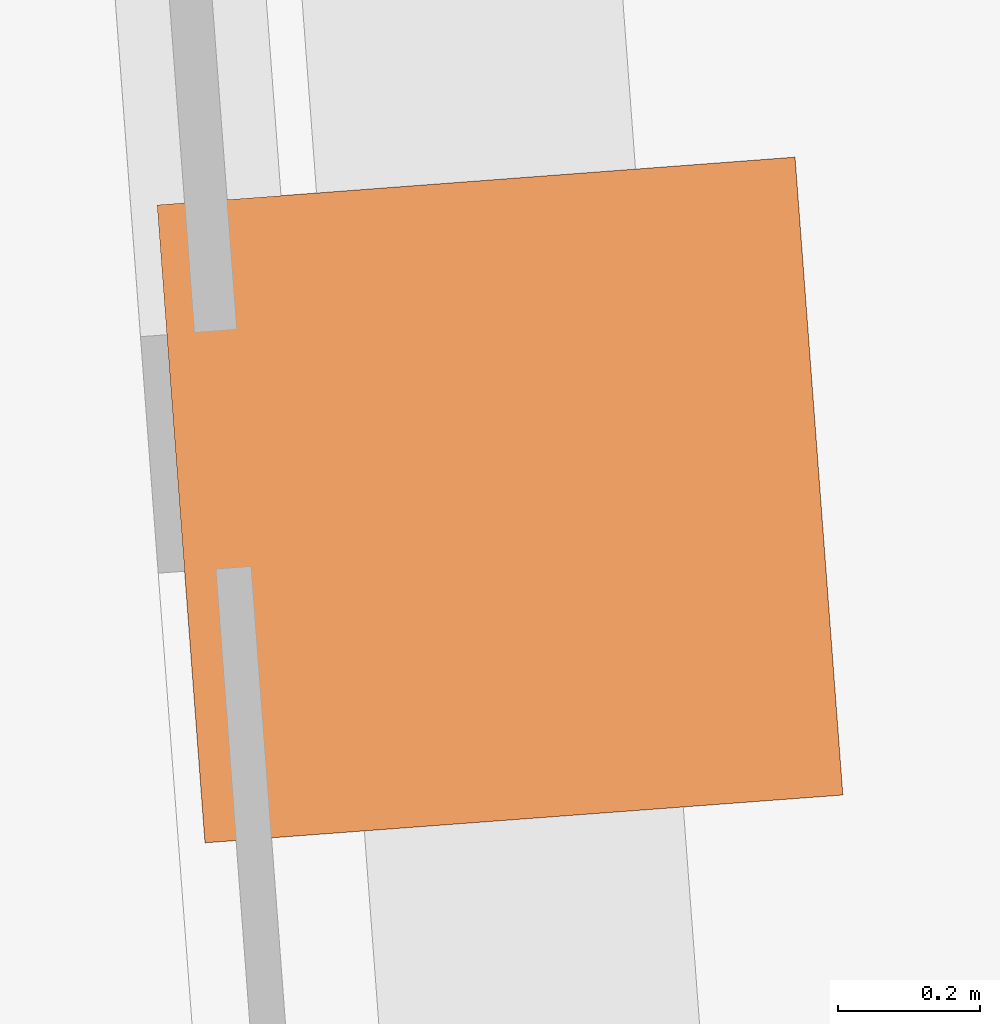
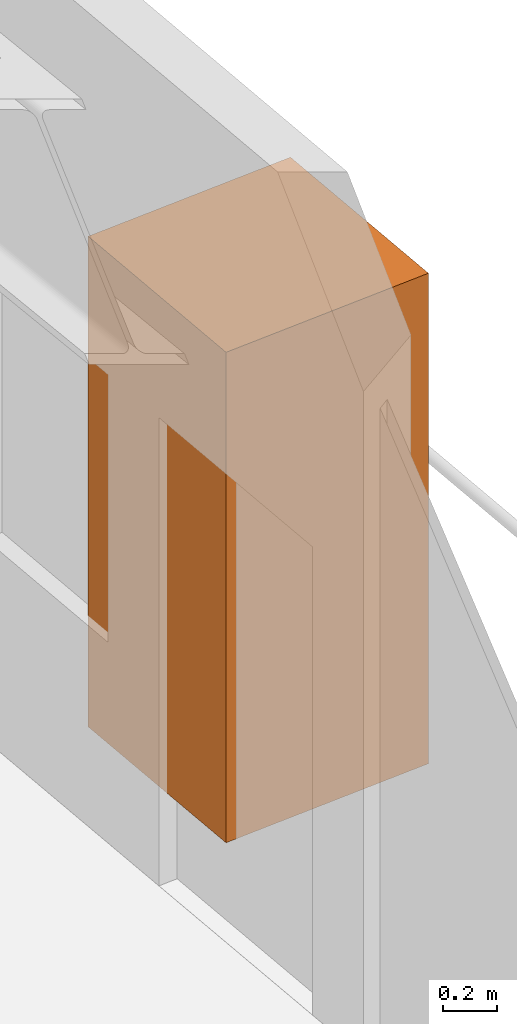
# One storey, part 9 of 9: 1 geographic element.
"""IFC4 building model written with IfcOpenShell, lengths in metres."""

from ifc_helpers import new_model, si_unit, direction, frame, origin, origin_2d, place, context, subcontext, project, spatial, rectangle, extrude, material, type_object, element, save


model = new_model("IFC4")

# Units and contexts
model_context = context("Model", 3, precision=1e-05, world=origin(), true_north=direction((0.0, 1.0)))
body_context = subcontext(model_context, "Body", "Model", "MODEL_VIEW")
ifc_project = project(units=[si_unit("LENGTHUNIT", "METRE"), si_unit("AREAUNIT", "SQUARE_METRE"), si_unit("VOLUMEUNIT", "CUBIC_METRE"), si_unit("PLANEANGLEUNIT", "RADIAN"), si_unit("MASSUNIT", "GRAM", prefix="KILO")], contexts=[model_context])

# Site, building, storey
site_placement = place(None, origin())
site = spatial("IfcSite", under=ifc_project, at=site_placement, CompositionType="ELEMENT")
building_placement = place(site_placement, origin())
building = spatial("IfcBuilding", under=site, at=building_placement, Name="Verdant Reach Tower", CompositionType="ELEMENT")
storey_placement = place(building_placement, frame((0.0, 0.0, 130.0)))
storey = spatial("IfcBuildingStorey", under=building, at=storey_placement, Name="L29", CompositionType="ELEMENT", Elevation=130.0)

# Geographic element
ifc_material = material(Name="Planting")
geographic_element_type = type_object("IfcGeographicElementType", Name="EN-TREE", PredefinedType="USERDEFINED", material=ifc_material)
geographic_element_placement = place(storey_placement, frame((24.164306640625, 19.322021484375, 0.39990234375), z_axis=(0.0, 0.0, 1.0), x_axis=(-0.074789948245, 0.997199309888, 0.0)))
element("IfcGeographicElement", 1, at=geographic_element_placement, inside=storey, type_object=geographic_element_type, Name="Balcony tree, Yellow trumpet tree (Handroanthus albus), L29 1", ObjectType="TREE", PredefinedType="USERDEFINED", context=body_context, shape_type="SweptSolid", body=[
    extrude(rectangle(XDim=0.89990234375, YDim=0.89990234375, at=origin_2d()), origin(), (0.0, 0.0, 1.0), 2.199951171875),
])

save(model, "model.ifc")
